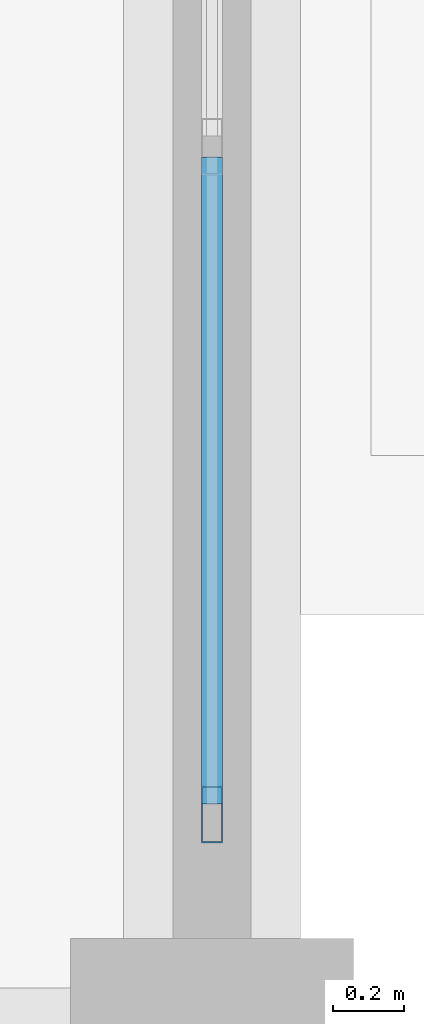
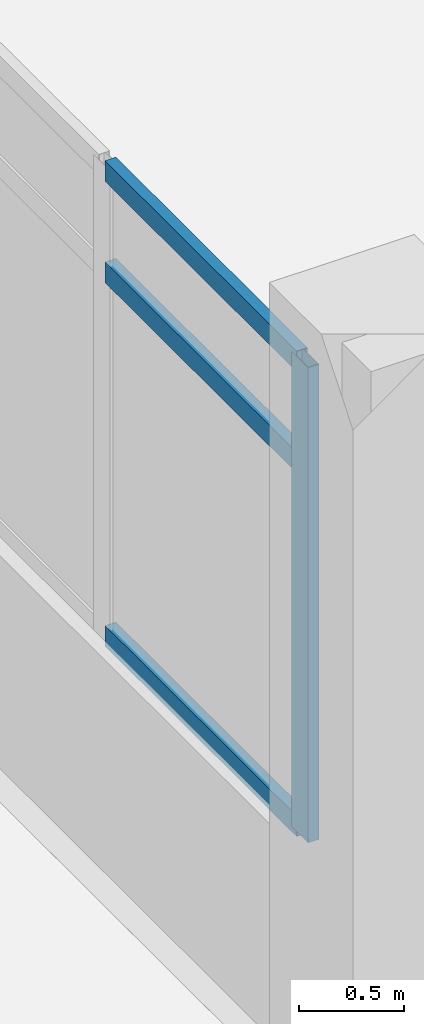
# One storey, part 40 of 140: 4 members, 1 element without a shape of its own.
"""IFC4 building model written with IfcOpenShell, lengths in metres."""

from ifc_helpers import new_model, si_unit, direction, frame, origin, origin_2d, place, context, subcontext, project, spatial, hollow_rectangle, extrude, material, layer, layer_set, material_profile, profile_set, type_object, element, aggregate, save


model = new_model("IFC4")

# Units and contexts
model_context = context("Model", 3, precision=1e-05, world=origin(), true_north=direction((0.0, 1.0)))
body_context = subcontext(model_context, "Body", "Model", "MODEL_VIEW")
ifc_project = project(units=[si_unit("LENGTHUNIT", "METRE"), si_unit("AREAUNIT", "SQUARE_METRE"), si_unit("VOLUMEUNIT", "CUBIC_METRE"), si_unit("PLANEANGLEUNIT", "RADIAN"), si_unit("MASSUNIT", "GRAM", prefix="KILO")], contexts=[model_context])

# Site, building, storey
site_placement = place(None, origin())
site = spatial("IfcSite", under=ifc_project, at=site_placement, CompositionType="ELEMENT")
building_placement = place(site_placement, origin())
building = spatial("IfcBuilding", under=site, at=building_placement, Name="Seraya Terrace Polytechnic", CompositionType="ELEMENT")
storey_placement = place(building_placement, frame((0.0, 0.0, 9.60009765625)))
storey = spatial("IfcBuildingStorey", under=building, at=storey_placement, Name="L02", CompositionType="ELEMENT", Elevation=9.60009765625)

# Curtain wall, members
ifc_material = material(Name="Anodised aluminium EN AW-6063 T6", Category="aluminium")
ifc_layer = layer(ifc_material, 0.179931640625, Name="CW-26")
ifc_layer_set = layer_set([ifc_layer], Name="Anodised aluminium EN AW-6063 T6")
curtain_wall_type = type_object("IfcCurtainWallType", Name="CW-26", PredefinedType="NOTDEFINED", material=ifc_layer_set)
curtain_wall_placement = place(storey_placement, origin())
curtain_wall = element("IfcCurtainWall", 1, at=curtain_wall_placement, inside=storey, type_object=curtain_wall_type, Name="Unitised curtain wall CW-26 (CW-L02-062)", PredefinedType="NOTDEFINED")
ifc_material_profile_1 = material_profile(ifc_material, hollow_rectangle(XDim=0.06005859375, YDim=0.159912109375, WallThickness=0.00341796875, at=origin_2d()), Name="RHS 160x60x3.5")
ifc_profile_set_1 = profile_set([ifc_material_profile_1], Name="Anodised aluminium EN AW-6063 T6")
member_type_1 = type_object("IfcMemberType", Name="CWM-02", PredefinedType="MULLION", material=ifc_profile_set_1)
member_1_placement = place(storey_placement, frame((108.0, 29.550048828125, 1.239990234375), z_axis=(0.0, 0.0, 1.0), x_axis=(1.0, 0.0, 0.0)))
member_1 = element("IfcMember", 2, at=member_1_placement, type_object=member_type_1, Name="CW-26 mullion 4", PredefinedType="MULLION", context=body_context, shape_type="SweptSolid", body=[
    extrude(hollow_rectangle(XDim=0.06005859375, YDim=0.159912109375, WallThickness=0.00341796875, at=origin_2d()), origin(), (0.0, 0.0, 1.0), 2.77001953125),
])
ifc_material_profile_2 = material_profile(ifc_material, hollow_rectangle(XDim=0.06005859375, YDim=0.1201171875, WallThickness=0.003173828125, at=origin_2d()), Name="RHS 120x60x3.2")
ifc_profile_set_2 = profile_set([ifc_material_profile_2], Name="Anodised aluminium EN AW-6063 T6")
member_type_2 = type_object("IfcMemberType", Name="CWT-02", PredefinedType="USERDEFINED", material=ifc_profile_set_2)
member_2_placement = place(storey_placement, frame((108.0, 31.409912109375, 1.27001953125), z_axis=(0.0, -1.0, 0.0), x_axis=(1.0, 0.0, 0.0)))
member_2 = element("IfcMember", 3, at=member_2_placement, type_object=member_type_2, Name="CW-26 transom 3.1", ObjectType="TRANSOM", PredefinedType="USERDEFINED", context=body_context, shape_type="SweptSolid", body=[
    extrude(hollow_rectangle(XDim=0.06005859375, YDim=0.1201171875, WallThickness=0.003173828125, at=origin_2d()), origin(), (0.0, 0.0, 1.0), 1.829833984375),
])
member_3_placement = place(storey_placement, frame((108.0, 31.409912109375, 3.389892578125), z_axis=(0.0, -1.0, 0.0), x_axis=(1.0, 0.0, 0.0)))
member_3 = element("IfcMember", 4, at=member_3_placement, type_object=member_type_2, Name="CW-26 transom 3.2", ObjectType="TRANSOM", PredefinedType="USERDEFINED", context=body_context, shape_type="SweptSolid", body=[
    extrude(hollow_rectangle(XDim=0.06005859375, YDim=0.1201171875, WallThickness=0.003173828125, at=origin_2d()), origin(), (0.0, 0.0, 1.0), 1.829833984375),
])
member_4_placement = place(storey_placement, frame((108.0, 31.409912109375, 3.97998046875), z_axis=(0.0, -1.0, 0.0), x_axis=(1.0, 0.0, 0.0)))
member_4 = element("IfcMember", 5, at=member_4_placement, type_object=member_type_2, Name="CW-26 transom 3.3", ObjectType="TRANSOM", PredefinedType="USERDEFINED", context=body_context, shape_type="SweptSolid", body=[
    extrude(hollow_rectangle(XDim=0.06005859375, YDim=0.1201171875, WallThickness=0.003173828125, at=origin_2d()), origin(), (0.0, 0.0, 1.0), 1.829833984375),
])
aggregate(curtain_wall, [member_1, member_2, member_3, member_4])

save(model, "model.ifc")
